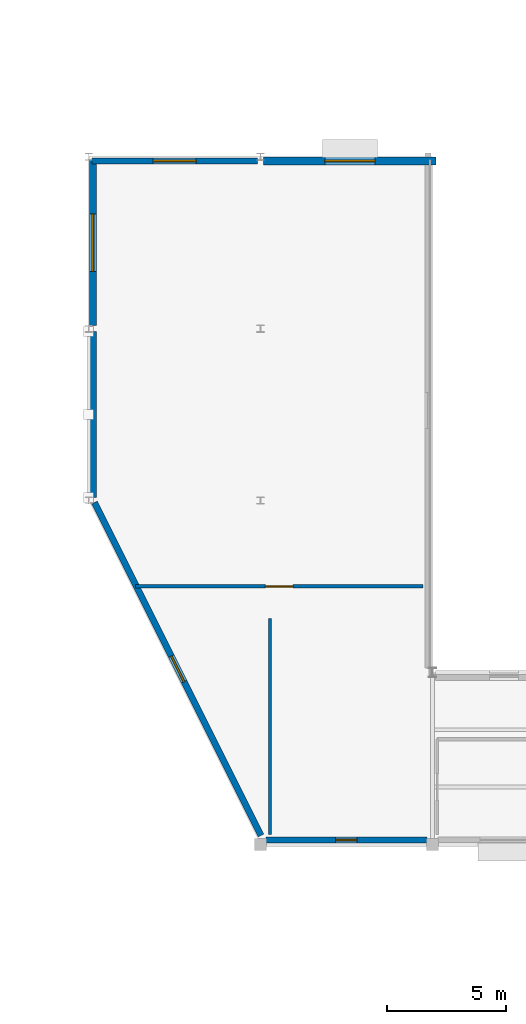
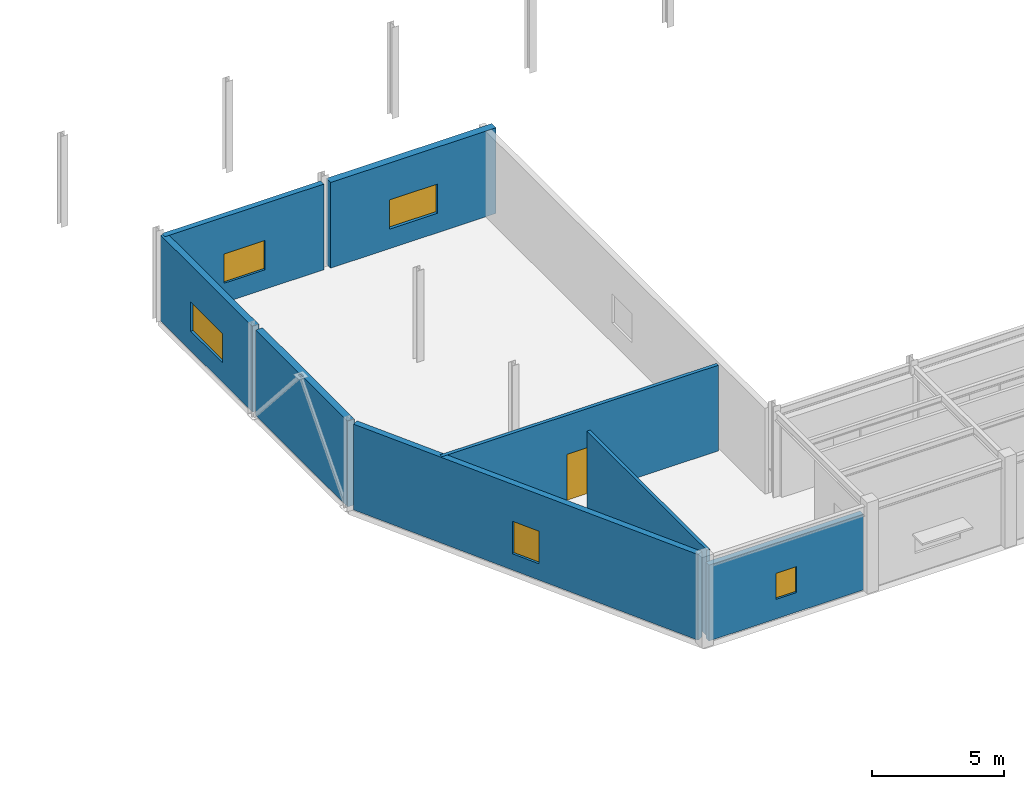
# One storey, part 40 of 60: 8 walls, 5 windows, 1 door, 6 openings.
"""IFC4 building model written with IfcOpenShell, lengths in metres."""

import ifcopenshell
import ifcopenshell.guid

model = None  # the IFC model being written
_history = None  # IfcOwnerHistory: only IFC2X3 demands one
_inside = {}  # id of a spatial element -> (the spatial element, [elements in it])
_under = {}  # id of a project, library or spatial element -> (it, [spatial elements below it])
_declared = {}  # id of a project -> (the project, [libraries it declares])
_typed = {}  # id of a type object -> (the type object, [elements of that type])
_made_of = {}  # id of a material, layer set ... -> (it, [elements and type objects made of it])


def new_model(schema):
    """Start an empty IFC model of exactly this schema.

    Asked for "IFC4X3", IfcOpenShell would pick the latest addendum, in which some entities
    have other attributes; the version numbers below select the first issue.
    IFC2X3 requires an IfcOwnerHistory on every rooted entity: one is made here for all.
    """
    global model, _history
    if schema == "IFC4X3":
        model = ifcopenshell.file(schema_version=(4, 3, 0, 0))
    else:
        model = ifcopenshell.file(schema=schema)
    _inside.clear()
    _under.clear()
    _declared.clear()
    _typed.clear()
    _made_of.clear()
    _history = None
    if model.schema == "IFC2X3":
        org = make("IfcOrganization", Name="unknown")
        user = make(
            "IfcPersonAndOrganization",
            ThePerson=make("IfcPerson", FamilyName="unknown"),
            TheOrganization=org,
        )
        app = make(
            "IfcApplication",
            ApplicationDeveloper=org,
            Version="unknown",
            ApplicationFullName="unknown",
            ApplicationIdentifier="unknown",
        )
        _history = make(
            "IfcOwnerHistory",
            OwningUser=user,
            OwningApplication=app,
            ChangeAction="ADDED",
            CreationDate=0,
        )
    return model


def make(cls, **values):
    """One entity of the class cls with the attributes given. An attribute that is None is left unset."""
    return model.create_entity(
        cls, **{name: value for name, value in values.items() if value is not None}
    )


def rooted(cls, **values):
    """An entity with a GlobalId (a new one), such as an element, a storey or a relation."""
    return make(cls, GlobalId=ifcopenshell.guid.new(), OwnerHistory=_history, **values)


def si_unit(unit_type, name, prefix=None):
    """IfcSIUnit, for example si_unit("LENGTHUNIT", "METRE", prefix="MILLI")."""
    return make("IfcSIUnit", UnitType=unit_type, Prefix=prefix, Name=name)


def assignment(units):
    """IfcUnitAssignment: the units of a project."""
    return None if units is None else make("IfcUnitAssignment", Units=units)


def point(xyz):
    """IfcCartesianPoint."""
    return None if xyz is None else make("IfcCartesianPoint", Coordinates=xyz)


def direction(xyz):
    """IfcDirection."""
    return None if xyz is None else make("IfcDirection", DirectionRatios=xyz)


def frame(location, z_axis=None, x_axis=None):
    """IfcAxis2Placement3D, a coordinate frame: its origin and axes. An axis left out is left unset."""
    return make(
        "IfcAxis2Placement3D",
        Location=point(location),
        Axis=direction(z_axis),
        RefDirection=direction(x_axis),
    )


def frame_2d(location, x_axis=None):
    """IfcAxis2Placement2D, a coordinate frame in the plane: its origin and x axis."""
    return make(
        "IfcAxis2Placement2D", Location=point(location), RefDirection=direction(x_axis)
    )


def origin():
    """The frame at (0, 0, 0) with its axes left unset."""
    return frame((0.0, 0.0, 0.0))


def place(relative_to, where):
    """IfcLocalPlacement: puts the frame where relative to a parent placement (None: the world)."""
    return make(
        "IfcLocalPlacement", PlacementRelTo=relative_to, RelativePlacement=where
    )


def context(
    kind, dimensions, precision=None, world=None, true_north=None, identifier=None
):
    """IfcGeometricRepresentationContext, for example the 3D "Model" context."""
    return make(
        "IfcGeometricRepresentationContext",
        ContextIdentifier=identifier,
        ContextType=kind,
        CoordinateSpaceDimension=dimensions,
        Precision=precision,
        WorldCoordinateSystem=world,
        TrueNorth=true_north,
    )


def subcontext(parent, identifier, kind, view, scale=None):
    """IfcGeometricRepresentationSubContext, for example "Body" below "Model"."""
    return make(
        "IfcGeometricRepresentationSubContext",
        ContextIdentifier=identifier,
        ContextType=kind,
        ParentContext=parent,
        TargetScale=scale,
        TargetView=view,
    )


def project(units=None, contexts=None):
    """IfcProject with its units and contexts."""
    return rooted(
        "IfcProject",
        Name="project",
        RepresentationContexts=contexts,
        UnitsInContext=assignment(units),
    )


def spatial(cls, under=None, at=None, **own):
    """A site, building, storey or space (cls), placed at a placement, below another one or the project."""
    s = rooted(cls, ObjectPlacement=at, **own)
    if under is not None:
        _under.setdefault(under.id(), (under, []))[1].append(s)
    return s


def profile(cls, at=None, kind="AREA", **sizes):
    """A parametric profile (cls). Its sizes go by their IFC names, for example OverallWidth=200.0."""
    return make(cls, ProfileType=kind, Position=at, **sizes)


def rectangle(**sizes):
    """IfcRectangleProfileDef."""
    return profile("IfcRectangleProfileDef", **sizes)


def extrude(swept, where, along, depth):
    """IfcExtrudedAreaSolid: the profile swept, set in the frame where, extruded along a direction by depth."""
    return make(
        "IfcExtrudedAreaSolid",
        SweptArea=swept,
        Position=where,
        ExtrudedDirection=direction(along),
        Depth=depth,
    )


def shape(context_of_items, identifier, shape_type, items):
    """IfcShapeRepresentation: the items that make up one representation, for example the "Body"."""
    return make(
        "IfcShapeRepresentation",
        ContextOfItems=context_of_items,
        RepresentationIdentifier=identifier,
        RepresentationType=shape_type,
        Items=items,
    )


def material(Name=None, Category=None):
    """IfcMaterial."""
    return make("IfcMaterial", Name=Name, Category=Category)


def layer(
    of_material, thickness, ventilated=None, Name=None, Category=None, Priority=None
):
    """IfcMaterialLayer: one layer of a wall or slab, of a material (None: an air gap)."""
    return make(
        "IfcMaterialLayer",
        Material=of_material,
        LayerThickness=thickness,
        IsVentilated=ventilated,
        Name=Name,
        Category=Category,
        Priority=Priority,
    )


def layer_set(layers, Name=None):
    """IfcMaterialLayerSet."""
    return make("IfcMaterialLayerSet", MaterialLayers=layers, LayerSetName=Name)


def made_of(thing, what):
    """Note that an element or type object is made of a material, layer set ...; save() writes the relation."""
    if what is not None:
        _made_of.setdefault(what.id(), (what, []))[1].append(thing)
    return thing


def type_object(cls, material=None, **own):
    """A type object (cls), such as IfcWallType, which elements share."""
    return made_of(rooted(cls, **own), material)


def element(
    cls,
    number,
    at=None,
    inside=None,
    cuts=None,
    type_object=None,
    material=None,
    context=None,
    identifier="Body",
    shape_type=None,
    held_by="IfcProductDefinitionShape",
    body=None,
    shapes=None,
    **own,
):
    """One element of the class cls, such as IfcWall. Its Tag is "e" and its number.

    at: its placement. inside: the storey or other place that contains it. cuts: it is an
    opening in that element (IfcRelVoidsElement). A single representation is given by context,
    identifier, shape_type and body (its items); several are given by shapes. held_by: the class
    of the entity that holds the representations. save() writes the other relations.
    """
    e = rooted(cls, Tag="e%d" % number, ObjectPlacement=at, **own)
    if body is not None:
        shapes = [shape(context, identifier, shape_type, body)]
    if shapes is not None:
        e.Representation = make(held_by, Representations=shapes)
    if inside is not None:
        _inside.setdefault(inside.id(), (inside, []))[1].append(e)
    if cuts is not None:
        rooted(
            "IfcRelVoidsElement", RelatingBuildingElement=cuts, RelatedOpeningElement=e
        )
    if type_object is not None:
        _typed.setdefault(type_object.id(), (type_object, []))[1].append(e)
    return made_of(e, material)


def fill(opening, filler):
    """IfcRelFillsElement: the door or window that sits in an opening."""
    return rooted(
        "IfcRelFillsElement",
        RelatingOpeningElement=opening,
        RelatedBuildingElement=filler,
    )


def aggregate(whole, parts):
    """IfcRelAggregates: a whole, such as a stair, and the parts it consists of."""
    return rooted("IfcRelAggregates", RelatingObject=whole, RelatedObjects=parts)


def save(model, path):
    """Write the relations noted so far, then the file.

    IfcRelAggregates (storeys below a building ...), IfcRelContainedInSpatialStructure (elements
    in a storey), IfcRelDefinesByType, IfcRelAssociatesMaterial and IfcRelDeclares: one each for
    every whole, place, type object, material and project.
    """
    for whole, parts in _under.values():
        aggregate(whole, parts)
    for where, things in _inside.values():
        rooted(
            "IfcRelContainedInSpatialStructure",
            RelatedElements=things,
            RelatingStructure=where,
        )
    for kind, things in _typed.values():
        rooted("IfcRelDefinesByType", RelatedObjects=things, RelatingType=kind)
    for what, things in _made_of.values():
        rooted("IfcRelAssociatesMaterial", RelatedObjects=things, RelatingMaterial=what)
    for by, libraries in _declared.values():
        rooted("IfcRelDeclares", RelatingContext=by, RelatedDefinitions=libraries)
    model.write(path)


model = new_model("IFC4")

# Units and contexts
model_context = context("Model", 3, precision=1e-05, world=origin(), true_north=direction((0.0, 1.0)))
body_context = subcontext(model_context, "Body", "Model", "MODEL_VIEW")
ifc_project = project(units=[si_unit("LENGTHUNIT", "METRE"), si_unit("AREAUNIT", "SQUARE_METRE"), si_unit("VOLUMEUNIT", "CUBIC_METRE"), si_unit("PLANEANGLEUNIT", "RADIAN"), si_unit("MASSUNIT", "GRAM", prefix="KILO")], contexts=[model_context])

# Site, building, storey
site_placement = place(None, origin())
site = spatial("IfcSite", under=ifc_project, at=site_placement, CompositionType="ELEMENT")
building_placement = place(site_placement, origin())
building = spatial("IfcBuilding", under=site, at=building_placement, Name="Brisavento Harbour Community Centre", CompositionType="ELEMENT")
storey_placement = place(building_placement, frame((0.0, 0.0, 4.5)))
storey = spatial("IfcBuildingStorey", under=building, at=storey_placement, Name="L01", CompositionType="ELEMENT", Elevation=4.5)

# Wall, opening, window
ifc_material_1 = material(Name="Terracotta masonry unit", Category="masonry")
ifc_layer_1 = layer(ifc_material_1, 0.239990234375, Name="Terracotta masonry unit")
ifc_layer_set_1 = layer_set([ifc_layer_1], Name="Terracotta masonry unit")
wall_type_1 = type_object("IfcWallType", Name="WL-EXT-240", PredefinedType="SOLIDWALL", material=ifc_layer_set_1)
wall_1_placement = place(storey_placement, frame((129.364990234375, 79.3798828125, 0.0), z_axis=(0.0, 0.0, 1.0), x_axis=(-1.0, 0.0, 0.0)))
wall_1 = element("IfcWall", 1, at=wall_1_placement, inside=storey, type_object=wall_type_1, Name="L01 V4 exterior wall 0193", PredefinedType="SOLIDWALL", context=body_context, shape_type="SweptSolid", body=[
    extrude(rectangle(XDim=6.72998046875, YDim=0.239990234375, at=frame_2d((3.364990234375, 0.0))), origin(), (0.0, 0.0, 1.0), 3.5),
])
opening_1_placement = place(wall_1_placement, frame((2.9150390625, 0.0, 0.89990234375)))
opening_1 = element("IfcOpeningElement", 2, at=opening_1_placement, cuts=wall_1, Name="Opening W-01", PredefinedType="OPENING", context=body_context, shape_type="SweptSolid", body=[
    extrude(rectangle(XDim=0.89990234375, YDim=1.199951171875, at=frame_2d((0.449951171875, 0.60009765625))), frame((0.0, 0.1298828125, 0.0), z_axis=(0.0, -1.0, 0.0), x_axis=(1.0, 0.0, 0.0)), (0.0, 0.0, 1.0), 0.260009765625),
])
ifc_material_2 = material(Name="Solar-control laminated low-E glass", Category="glass")
window_type_1 = type_object("IfcWindowType", Name="WIN-CAS-01", PartitioningType="SINGLE_PANEL", PredefinedType="WINDOW", material=ifc_material_2)
window_1_placement = place(opening_1_placement, origin())
window_1 = element("IfcWindow", 3, at=window_1_placement, inside=storey, type_object=window_type_1, Name="L01 V4 impact casement window 0073", OverallHeight=1.199951171875, OverallWidth=0.89990234375, PartitioningType="SINGLE_PANEL", PredefinedType="WINDOW", context=body_context, shape_type="SweptSolid", body=[
    extrude(rectangle(XDim=0.89990234375, YDim=1.199951171875, at=frame_2d((0.449951171875, 0.60009765625))), frame((0.0, 0.030029296875, 0.0), z_axis=(0.0, -1.0, 0.0), x_axis=(1.0, 0.0, 0.0)), (0.0, 0.0, 1.0), 0.06005859375),
])
fill(opening_1, window_1)

wall_2_placement = place(storey_placement, frame((115.3349609375, 107.820068359375, 0.0), z_axis=(0.0, 0.0, 1.0), x_axis=(1.0, 0.0, 0.0)))
wall_2 = element("IfcWall", 4, at=wall_2_placement, inside=storey, type_object=wall_type_1, Name="L01 V4 exterior wall 0203", PredefinedType="SOLIDWALL", context=body_context, shape_type="SweptSolid", body=[
    extrude(rectangle(XDim=6.929931640625, YDim=0.239990234375, at=frame_2d((3.46484375, 0.0))), origin(), (0.0, 0.0, 1.0), 3.949951171875),
])
opening_2_placement = place(wall_2_placement, frame((2.56494140625, 0.0, 0.89990234375)))
opening_2 = element("IfcOpeningElement", 5, at=opening_2_placement, cuts=wall_2, Name="Opening W-11", PredefinedType="OPENING", context=body_context, shape_type="SweptSolid", body=[
    extrude(rectangle(XDim=1.800048828125, YDim=1.35009765625, at=frame_2d((0.89990234375, 0.675048828125))), frame((0.0, 0.1298828125, 0.0), z_axis=(0.0, -1.0, 0.0), x_axis=(1.0, 0.0, 0.0)), (0.0, 0.0, 1.0), 0.260009765625),
])
window_type_2 = type_object("IfcWindowType", Name="WIN-CAS-11", PartitioningType="SINGLE_PANEL", PredefinedType="WINDOW", material=ifc_material_2)
window_2_placement = place(opening_2_placement, origin())
window_2 = element("IfcWindow", 6, at=window_2_placement, inside=storey, type_object=window_type_2, Name="L01 V4 impact casement window 0083", OverallHeight=1.35009765625, OverallWidth=1.800048828125, PartitioningType="SINGLE_PANEL", PredefinedType="WINDOW", context=body_context, shape_type="SweptSolid", body=[
    extrude(rectangle(XDim=1.800048828125, YDim=1.35009765625, at=frame_2d((0.89990234375, 0.675048828125))), frame((0.0, 0.030029296875, 0.0), z_axis=(0.0, -1.0, 0.0), x_axis=(1.0, 0.0, 0.0)), (0.0, 0.0, 1.0), 0.06005859375),
])
fill(opening_2, window_2)

ifc_layer_2 = layer(ifc_material_1, 0.260009765625, Name="Terracotta masonry unit")
ifc_layer_set_2 = layer_set([ifc_layer_2], Name="Terracotta masonry unit")
wall_type_2 = type_object("IfcWallType", Name="WL-EXT-260", PredefinedType="SOLIDWALL", material=ifc_layer_set_2)
wall_3_placement = place(storey_placement, frame((122.417724609375, 79.567138671875, 0.0), z_axis=(0.0, 0.0, 1.0), x_axis=(-0.4472135955, 0.894427191, 0.0)))
wall_3 = element("IfcWall", 7, at=wall_3_placement, inside=storey, type_object=wall_type_2, Name="L01 V4 exterior wall 0207", PredefinedType="SOLIDWALL", context=body_context, shape_type="SweptSolid", body=[
    extrude(rectangle(XDim=15.597412109375, YDim=0.260009765625, at=frame_2d((7.798828125, 0.0))), origin(), (0.0, 0.0, 1.0), 3.949951171875),
])
opening_3_placement = place(wall_3_placement, frame((7.19873046875, 0.0, 0.75)))
opening_3 = element("IfcOpeningElement", 8, at=opening_3_placement, cuts=wall_3, Name="Opening W-14", PredefinedType="OPENING", context=body_context, shape_type="SweptSolid", body=[
    extrude(rectangle(XDim=1.199951171875, YDim=1.5, at=frame_2d((0.60009765625, 0.75))), frame((0.0, 0.14013671875, 0.0), z_axis=(0.0, -1.0, 0.0), x_axis=(1.0, 0.0, 0.0)), (0.0, 0.0, 1.0), 0.280029296875),
])
window_type_3 = type_object("IfcWindowType", Name="WIN-CAS-14", PartitioningType="SINGLE_PANEL", PredefinedType="WINDOW", material=ifc_material_2)
window_3_placement = place(opening_3_placement, origin())
window_3 = element("IfcWindow", 9, at=window_3_placement, inside=storey, type_object=window_type_3, Name="L01 V4 impact casement window 0086", OverallHeight=1.5, OverallWidth=1.199951171875, PartitioningType="SINGLE_PANEL", PredefinedType="WINDOW", context=body_context, shape_type="SweptSolid", body=[
    extrude(rectangle(XDim=1.199951171875, YDim=1.5, at=frame_2d((0.60009765625, 0.75))), frame((0.0, 0.030029296875, 0.0), z_axis=(0.0, -1.0, 0.0), x_axis=(1.0, 0.0, 0.0)), (0.0, 0.0, 1.0), 0.06005859375),
])
fill(opening_3, window_3)

ifc_material_3 = material(Name="Precast concrete C40/50", Category="concrete")
ifc_layer_3 = layer(ifc_material_3, 0.280029296875, Name="Precast concrete C40/50")
ifc_layer_set_3 = layer_set([ifc_layer_3], Name="Precast concrete C40/50")
wall_type_3 = type_object("IfcWallType", Name="WL-EXT-280", PredefinedType="SOLIDWALL", material=ifc_layer_set_3)
wall_4_placement = place(storey_placement, frame((115.3798828125, 100.929931640625, 0.0), z_axis=(0.0, 0.0, 1.0), x_axis=(0.0, 1.0, 0.0)))
wall_4 = element("IfcWall", 10, at=wall_4_placement, inside=storey, type_object=wall_type_3, Name="L01 V4 exterior wall 0206", PredefinedType="SOLIDWALL", context=body_context, shape_type="SweptSolid", body=[
    extrude(rectangle(XDim=6.940185546875, YDim=0.280029296875, at=frame_2d((3.47021484375, 0.0))), origin(), (0.0, 0.0, 1.0), 3.949951171875),
])
opening_4_placement = place(wall_4_placement, frame((2.27001953125, 0.0, 0.89990234375)))
opening_4 = element("IfcOpeningElement", 11, at=opening_4_placement, cuts=wall_4, Name="Opening W-13", PredefinedType="OPENING", context=body_context, shape_type="SweptSolid", body=[
    extrude(rectangle(XDim=2.39990234375, YDim=1.35009765625, at=frame_2d((1.199951171875, 0.675048828125))), frame((0.0, 0.14990234375, 0.0), z_axis=(0.0, -1.0, 0.0), x_axis=(1.0, 0.0, 0.0)), (0.0, 0.0, 1.0), 0.300048828125),
])
window_type_4 = type_object("IfcWindowType", Name="WIN-CAS-13", PartitioningType="SINGLE_PANEL", PredefinedType="WINDOW", material=ifc_material_2)
window_4_placement = place(opening_4_placement, origin())
window_4 = element("IfcWindow", 12, at=window_4_placement, inside=storey, type_object=window_type_4, Name="L01 V4 impact casement window 0085", OverallHeight=1.35009765625, OverallWidth=2.39990234375, PartitioningType="SINGLE_PANEL", PredefinedType="WINDOW", context=body_context, shape_type="SweptSolid", body=[
    extrude(rectangle(XDim=2.39990234375, YDim=1.35009765625, at=frame_2d((1.199951171875, 0.675048828125))), frame((0.0, 0.030029296875, 0.0), z_axis=(0.0, -1.0, 0.0), x_axis=(1.0, 0.0, 0.0)), (0.0, 0.0, 1.0), 0.06005859375),
])
fill(opening_4, window_4)

# Wall
ifc_material_4 = material(Name="Concrete C35/45", Category="concrete")
ifc_layer_4 = layer(ifc_material_4, 0.300048828125, Name="Concrete C35/45")
ifc_layer_set_4 = layer_set([ifc_layer_4], Name="Concrete C35/45")
wall_type_4 = type_object("IfcWallType", Name="WL-EXT-300", PredefinedType="SOLIDWALL", material=ifc_layer_set_4)
wall_5_placement = place(storey_placement, frame((115.3798828125, 93.72998046875, 0.0), z_axis=(0.0, 0.0, 1.0), x_axis=(0.0, 1.0, 0.0)))
element("IfcWall", 13, at=wall_5_placement, inside=storey, type_object=wall_type_4, Name="L01 V4 exterior wall 0205", PredefinedType="SOLIDWALL", context=body_context, shape_type="SweptSolid", body=[
    extrude(rectangle(XDim=6.93994140625, YDim=0.300048828125, at=frame_2d((3.469970703125, 0.0))), origin(), (0.0, 0.0, 1.0), 3.949951171875),
])

# Wall, opening, window
ifc_layer_5 = layer(ifc_material_4, 0.320068359375, Name="Concrete C35/45")
ifc_layer_set_5 = layer_set([ifc_layer_5], Name="Concrete C35/45")
wall_type_5 = type_object("IfcWallType", Name="WL-EXT-320", PredefinedType="SOLIDWALL", material=ifc_layer_set_5)
wall_6_placement = place(storey_placement, frame((122.534912109375, 107.820068359375, 0.0), z_axis=(0.0, 0.0, 1.0), x_axis=(1.0, 0.0, 0.0)))
wall_6 = element("IfcWall", 14, at=wall_6_placement, inside=storey, type_object=wall_type_5, Name="L01 V4 exterior wall 0204", PredefinedType="SOLIDWALL", context=body_context, shape_type="SweptSolid", body=[
    extrude(rectangle(XDim=7.215087890625, YDim=0.320068359375, at=frame_2d((3.607421875, 0.0))), origin(), (0.0, 0.0, 1.0), 3.949951171875),
])
opening_5_placement = place(wall_6_placement, frame((2.5576171875, 0.0, 0.89990234375)))
opening_5 = element("IfcOpeningElement", 15, at=opening_5_placement, cuts=wall_6, Name="Opening W-12", PredefinedType="OPENING", context=body_context, shape_type="SweptSolid", body=[
    extrude(rectangle(XDim=2.10009765625, YDim=1.35009765625, at=frame_2d((1.050048828125, 0.675048828125))), frame((0.0, 0.169921875, 0.0), z_axis=(0.0, -1.0, 0.0), x_axis=(1.0, 0.0, 0.0)), (0.0, 0.0, 1.0), 0.340087890625),
])
window_type_5 = type_object("IfcWindowType", Name="WIN-CAS-12", PartitioningType="SINGLE_PANEL", PredefinedType="WINDOW", material=ifc_material_2)
window_5_placement = place(opening_5_placement, origin())
window_5 = element("IfcWindow", 16, at=window_5_placement, inside=storey, type_object=window_type_5, Name="L01 V4 impact casement window 0084", OverallHeight=1.35009765625, OverallWidth=2.10009765625, PartitioningType="SINGLE_PANEL", PredefinedType="WINDOW", context=body_context, shape_type="SweptSolid", body=[
    extrude(rectangle(XDim=2.10009765625, YDim=1.35009765625, at=frame_2d((1.050048828125, 0.675048828125))), frame((0.0, 0.030029296875, 0.0), z_axis=(0.0, -1.0, 0.0), x_axis=(1.0, 0.0, 0.0)), (0.0, 0.0, 1.0), 0.06005859375),
])
fill(opening_5, window_5)

# Wall
ifc_material_5 = material(Name="Gypsum metal-stud partition", Category="other")
ifc_layer_6 = layer(ifc_material_5, 0.139892578125, Name="Gypsum metal-stud partition")
ifc_layer_set_6 = layer_set([ifc_layer_6], Name="Gypsum metal-stud partition")
wall_type_6 = type_object("IfcWallType", Name="WL-PRT-140", PredefinedType="PARTITIONING", material=ifc_layer_set_6)
wall_7_placement = place(storey_placement, frame((122.800048828125, 88.64990234375, 0.0), z_axis=(0.0, 0.0, 1.0), x_axis=(0.0, -1.0, 0.0)))
element("IfcWall", 17, at=wall_7_placement, inside=storey, type_object=wall_type_6, Name="L01 Aerobics Warm-Up Studio partition 0181", PredefinedType="PARTITIONING", context=body_context, shape_type="SweptSolid", body=[
    extrude(rectangle(XDim=9.0498046875, YDim=0.139892578125, at=frame_2d((4.52490234375, 0.0))), origin(), (0.0, 0.0, 1.0), 3.949951171875),
])

# Wall, opening, door
ifc_material_6 = material(Name="Moisture-resistant stud partition", Category="other")
ifc_layer_7 = layer(ifc_material_6, 0.14990234375, Name="Moisture-resistant stud partition")
ifc_layer_set_7 = layer_set([ifc_layer_7], Name="Moisture-resistant stud partition")
wall_type_7 = type_object("IfcWallType", Name="WL-PRT-150", PredefinedType="PARTITIONING", material=ifc_layer_set_7)
wall_8_placement = place(storey_placement, frame((117.156494140625, 90.0, 0.0), z_axis=(0.0, 0.0, 1.0), x_axis=(1.0, 0.0, 0.0)))
wall_8 = element("IfcWall", 18, at=wall_8_placement, inside=storey, type_object=wall_type_7, Name="L01 Community Fitness Studio partition 0180", PredefinedType="PARTITIONING", context=body_context, shape_type="SweptSolid", body=[
    extrude(rectangle(XDim=12.04345703125, YDim=0.14990234375, at=frame_2d((6.021728515625, 0.0))), origin(), (0.0, 0.0, 1.0), 3.949951171875),
])
opening_6_placement = place(wall_8_placement, frame((5.44677734375, 0.0, 0.0)))
opening_6 = element("IfcOpeningElement", 19, at=opening_6_placement, cuts=wall_8, Name="Opening ID-07", PredefinedType="OPENING", context=body_context, shape_type="SweptSolid", body=[
    extrude(rectangle(XDim=1.14990234375, YDim=2.14990234375, at=frame_2d((0.574951171875, 1.074951171875))), frame((0.0, 0.0849609375, 0.0), z_axis=(0.0, -1.0, 0.0), x_axis=(1.0, 0.0, 0.0)), (0.0, 0.0, 1.0), 0.169921875),
])
ifc_material_7 = material(Name="Solid-core tropical timber door", Category="wood")
door_type = type_object("IfcDoorType", Name="DR-INT-115x215", OperationType="NOTDEFINED", PredefinedType="DOOR", material=ifc_material_7)
door_placement = place(opening_6_placement, origin())
door = element("IfcDoor", 20, at=door_placement, inside=storey, type_object=door_type, Name="L01 Community Fitness Studio door 0062", OperationType="SINGLE_SWING_LEFT", OverallHeight=2.14990234375, OverallWidth=1.14990234375, PredefinedType="DOOR", context=body_context, shape_type="SweptSolid", body=[
    extrude(rectangle(XDim=1.14990234375, YDim=2.14990234375, at=frame_2d((0.574951171875, 1.074951171875))), frame((0.0, 0.02490234375, 0.0), z_axis=(0.0, -1.0, 0.0), x_axis=(1.0, 0.0, 0.0)), (0.0, 0.0, 1.0), 0.050048828125),
])
fill(opening_6, door)

save(model, "model.ifc")
